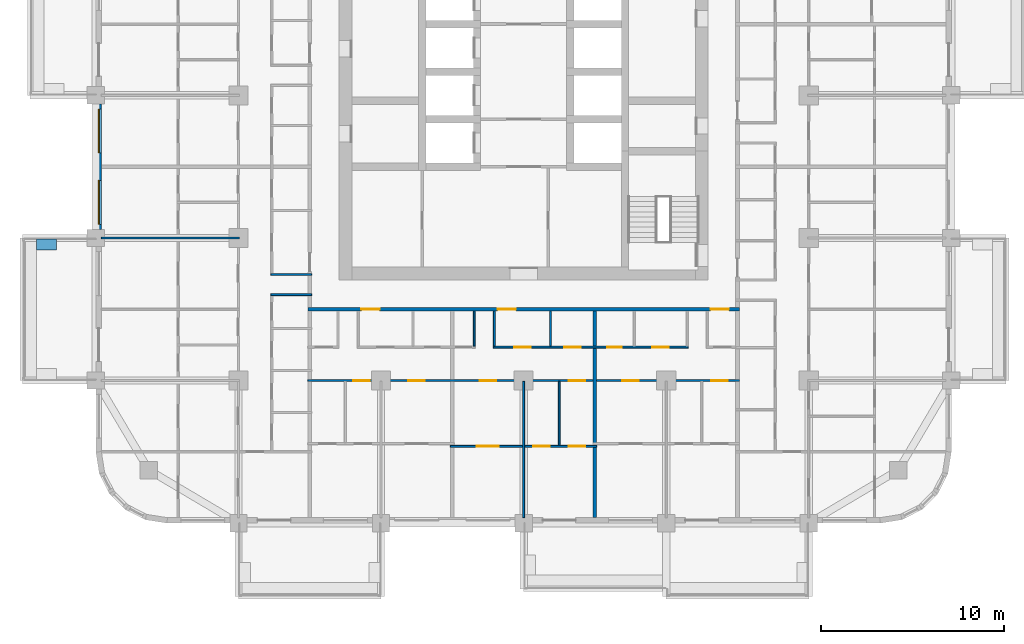
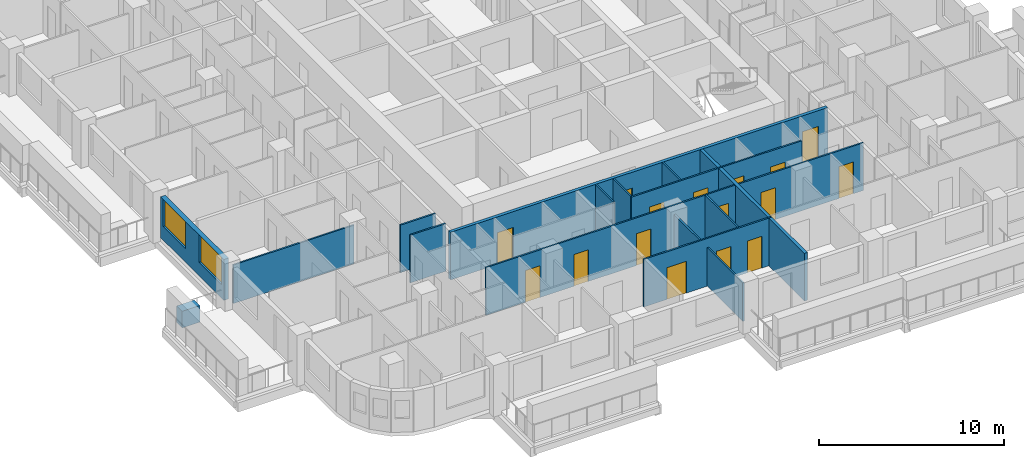
# One storey, part 4 of 18: 16 doors, 15 walls, 2 windows, 18 openings.
"""IFC4 building model written with IfcOpenShell, lengths in metres."""

from ifc_helpers import new_model, si_unit, direction, frame, frame_2d, origin, place, context, subcontext, project, spatial, rectangle, extrude, material, layer, layer_set, type_object, element, fill, save


model = new_model("IFC4")

# Units and contexts
model_context = context("Model", 3, precision=1e-05, world=origin(), true_north=direction((0.0, 1.0)))
body_context = subcontext(model_context, "Body", "Model", "MODEL_VIEW")
ifc_project = project(units=[si_unit("LENGTHUNIT", "METRE"), si_unit("AREAUNIT", "SQUARE_METRE"), si_unit("VOLUMEUNIT", "CUBIC_METRE"), si_unit("PLANEANGLEUNIT", "RADIAN"), si_unit("MASSUNIT", "GRAM", prefix="KILO")], contexts=[model_context])

# Site, building, storey
site_placement = place(None, origin())
site = spatial("IfcSite", under=ifc_project, at=site_placement, CompositionType="ELEMENT")
building_placement = place(site_placement, origin())
building = spatial("IfcBuilding", under=site, at=building_placement, Name="Ludao Terraces", CompositionType="ELEMENT")
storey_placement = place(building_placement, frame((0.0, 0.0, 78.39990234375)))
storey = spatial("IfcBuildingStorey", under=building, at=storey_placement, Name="L21", CompositionType="ELEMENT", Elevation=78.39990234375)

# Wall
ifc_material_1 = material(Name="Concrete C40", Category="concrete")
ifc_layer_1 = layer(ifc_material_1, 0.60009765625)
ifc_layer_set_1 = layer_set([ifc_layer_1], Name="ENV Planter trough 600")
wall_type_1 = type_object("IfcWallType", Name="ENV Planter trough 600", PredefinedType="USERDEFINED", material=ifc_layer_set_1)
wall_1_placement = place(storey_placement, frame((58.35009765625, 56.85009765625, 0.0), z_axis=(0.0, 0.0, 1.0), x_axis=(1.0, 0.0, 0.0)))
element("IfcWall", 1, at=wall_1_placement, inside=storey, type_object=wall_type_1, Name="PL-L21-W1-SB", ObjectType="PLANTER", PredefinedType="USERDEFINED", context=body_context, shape_type="SweptSolid", body=[
    extrude(rectangle(XDim=1.099853515625, YDim=0.60009765625, at=frame_2d((0.5498046875, 0.0))), origin(), (0.0, 0.0, 1.0), 1.10009765625),
])

# Wall, openings, windows
ifc_material_2 = material(Name="Granite cladding", Category="masonry")
ifc_layer_2 = layer(ifc_material_2, 0.0400390625, Category="stone")
ifc_material_3 = material(Name="Mineral wool")
ifc_layer_3 = layer(ifc_material_3, 0.06005859375)
ifc_layer_4 = layer(ifc_material_1, 0.199951171875, Category="concrete")
ifc_layer_set_2 = layer_set([ifc_layer_2, ifc_layer_3, ifc_layer_4], Name="ENV Stone-clad wall 300")
wall_type_2 = type_object("IfcWallType", Name="ENV Stone-clad wall 300", PredefinedType="SOLIDWALL", material=ifc_layer_set_2)
wall_2_placement = place(storey_placement, frame((61.75, 57.675048828125, 0.0), z_axis=(0.0, 0.0, 1.0), x_axis=(0.0, 1.0, 0.0)))
wall_2 = element("IfcWall", 2, at=wall_2_placement, inside=storey, type_object=wall_type_2, Name="EW-L21-W3", PredefinedType="SOLIDWALL", context=body_context, shape_type="SweptSolid", body=[
    extrude(rectangle(XDim=6.849853515625, YDim=0.300048828125, at=frame_2d((3.4248046875, 0.0))), origin(), (0.0, 0.0, 1.0), 2.7001953125),
])
opening_1_placement = place(wall_2_placement, frame((0.27490234375, 0.0, 0.89990234375)))
opening_1 = element("IfcOpeningElement", 3, at=opening_1_placement, cuts=wall_2, Name="Opening W1", PredefinedType="OPENING", context=body_context, shape_type="SweptSolid", body=[
    extrude(rectangle(XDim=2.39990234375, YDim=1.800048828125, at=frame_2d((1.199951171875, 0.89990234375))), frame((0.0, 0.16015625, 0.0), z_axis=(0.0, -1.0, 0.0), x_axis=(1.0, 0.0, 0.0)), (0.0, 0.0, 1.0), 0.320068359375),
])
opening_2_placement = place(wall_2_placement, frame((4.175048828125, 0.0, 0.89990234375)))
opening_2 = element("IfcOpeningElement", 4, at=opening_2_placement, cuts=wall_2, Name="Opening W1", PredefinedType="OPENING", context=body_context, shape_type="SweptSolid", body=[
    extrude(rectangle(XDim=2.39990234375, YDim=1.800048828125, at=frame_2d((1.199951171875, 0.89990234375))), frame((0.0, 0.16015625, 0.0), z_axis=(0.0, -1.0, 0.0), x_axis=(1.0, 0.0, 0.0)), (0.0, 0.0, 1.0), 0.320068359375),
])
ifc_material_4 = material(Name="Clear glass in aluminium frame", Category="aluminium")
ifc_layer_5 = layer(ifc_material_4, 0.06005859375)
ifc_layer_set_3 = layer_set([ifc_layer_5], Name="ENV Window W1 2400x1800")
window_type = type_object("IfcWindowType", Name="ENV Window W1 2400x1800", PartitioningType="DOUBLE_PANEL_VERTICAL", PredefinedType="WINDOW", material=ifc_layer_set_3)
window_1_placement = place(opening_1_placement, origin())
window_1 = element("IfcWindow", 5, at=window_1_placement, inside=storey, type_object=window_type, Name="W-L21-W3-1", OverallHeight=1.800048828125, OverallWidth=2.39990234375, PartitioningType="DOUBLE_PANEL_VERTICAL", PredefinedType="WINDOW", context=body_context, shape_type="SweptSolid", body=[
    extrude(rectangle(XDim=2.39990234375, YDim=1.800048828125, at=frame_2d((1.199951171875, 0.89990234375))), frame((0.0, 0.030029296875, 0.0), z_axis=(0.0, -1.0, 0.0), x_axis=(1.0, 0.0, 0.0)), (0.0, 0.0, 1.0), 0.06005859375),
])
fill(opening_1, window_1)
window_2_placement = place(opening_2_placement, origin())
window_2 = element("IfcWindow", 6, at=window_2_placement, inside=storey, type_object=window_type, Name="W-L21-W3-2", OverallHeight=1.800048828125, OverallWidth=2.39990234375, PartitioningType="DOUBLE_PANEL_VERTICAL", PredefinedType="WINDOW", context=body_context, shape_type="SweptSolid", body=[
    extrude(rectangle(XDim=2.39990234375, YDim=1.800048828125, at=frame_2d((1.199951171875, 0.89990234375))), frame((0.0, 0.030029296875, 0.0), z_axis=(0.0, -1.0, 0.0), x_axis=(1.0, 0.0, 0.0)), (0.0, 0.0, 1.0), 0.06005859375),
])
fill(opening_2, window_2)

# Wall, openings, doors
ifc_material_5 = material(Name="Autoclaved aerated concrete block B06 A3.5", Category="concrete")
ifc_layer_6 = layer(ifc_material_5, 0.199951171875)
ifc_layer_set_4 = layer_set([ifc_layer_6], Name="INT Entrance wall 200")
wall_type_3 = type_object("IfcWallType", Name="INT Entrance wall 200", PredefinedType="PARTITIONING", material=ifc_layer_set_4)
wall_3_placement = place(storey_placement, frame((73.2001953125, 53.300048828125, 0.0), z_axis=(0.0, 0.0, 1.0), x_axis=(1.0, 0.0, 0.0)))
wall_3 = element("IfcWall", 7, at=wall_3_placement, inside=storey, type_object=wall_type_3, Name="PW-L21-PW020", PredefinedType="PARTITIONING", context=body_context, shape_type="SweptSolid", body=[
    extrude(rectangle(XDim=23.599853515625, YDim=0.199951171875, at=frame_2d((11.7998046875, 0.0))), origin(), (0.0, 0.0, 1.0), 3.150146484375),
])
opening_3_placement = place(wall_3_placement, frame((2.9248046875, 0.0, 0.0)))
opening_3 = element("IfcOpeningElement", 8, at=opening_3_placement, cuts=wall_3, Name="Opening R06-048", PredefinedType="OPENING", context=body_context, shape_type="SweptSolid", body=[
    extrude(rectangle(XDim=1.0, YDim=2.10009765625, at=frame_2d((0.5, 1.050048828125))), frame((0.0, 0.10986328125, 0.0), z_axis=(0.0, -1.0, 0.0), x_axis=(1.0, 0.0, 0.0)), (0.0, 0.0, 1.0), 0.219970703125),
])
opening_4_placement = place(wall_3_placement, frame((10.375, 0.0, 0.0)))
opening_4 = element("IfcOpeningElement", 9, at=opening_4_placement, cuts=wall_3, Name="Opening R06-049", PredefinedType="OPENING", context=body_context, shape_type="SweptSolid", body=[
    extrude(rectangle(XDim=1.0, YDim=2.10009765625, at=frame_2d((0.5, 1.050048828125))), frame((0.0, 0.10986328125, 0.0), z_axis=(0.0, -1.0, 0.0), x_axis=(1.0, 0.0, 0.0)), (0.0, 0.0, 1.0), 0.219970703125),
])
opening_5_placement = place(wall_3_placement, frame((22.02490234375, 0.0, 0.0)))
opening_5 = element("IfcOpeningElement", 10, at=opening_5_placement, cuts=wall_3, Name="Opening R06-050", PredefinedType="OPENING", context=body_context, shape_type="SweptSolid", body=[
    extrude(rectangle(XDim=1.0, YDim=2.10009765625, at=frame_2d((0.5, 1.050048828125))), frame((0.0, 0.10986328125, 0.0), z_axis=(0.0, -1.0, 0.0), x_axis=(1.0, 0.0, 0.0)), (0.0, 0.0, 1.0), 0.219970703125),
])
ifc_material_6 = material(Name="Steel Q235", Category="steel")
door_type_1 = type_object("IfcDoorType", Name="INT Flat entrance door 1000", OperationType="SINGLE_SWING_LEFT", PredefinedType="DOOR", material=ifc_material_6)
door_1_placement = place(opening_3_placement, origin())
door_1 = element("IfcDoor", 11, at=door_1_placement, inside=storey, type_object=door_type_1, Name="DOOR 048", OperationType="SINGLE_SWING_LEFT", OverallHeight=2.10009765625, OverallWidth=1.0, PredefinedType="DOOR", context=body_context, shape_type="SweptSolid", body=[
    extrude(rectangle(XDim=1.0, YDim=2.10009765625, at=frame_2d((0.5, 1.050048828125))), frame((0.0, 0.02490234375, 0.0), z_axis=(0.0, -1.0, 0.0), x_axis=(1.0, 0.0, 0.0)), (0.0, 0.0, 1.0), 0.050048828125),
])
fill(opening_3, door_1)
door_2_placement = place(opening_4_placement, origin())
door_2 = element("IfcDoor", 12, at=door_2_placement, inside=storey, type_object=door_type_1, Name="DOOR 049", OperationType="SINGLE_SWING_LEFT", OverallHeight=2.10009765625, OverallWidth=1.0, PredefinedType="DOOR", context=body_context, shape_type="SweptSolid", body=[
    extrude(rectangle(XDim=1.0, YDim=2.10009765625, at=frame_2d((0.5, 1.050048828125))), frame((0.0, 0.02490234375, 0.0), z_axis=(0.0, -1.0, 0.0), x_axis=(1.0, 0.0, 0.0)), (0.0, 0.0, 1.0), 0.050048828125),
])
fill(opening_4, door_2)
door_3_placement = place(opening_5_placement, origin())
door_3 = element("IfcDoor", 13, at=door_3_placement, inside=storey, type_object=door_type_1, Name="DOOR 050", OperationType="SINGLE_SWING_LEFT", OverallHeight=2.10009765625, OverallWidth=1.0, PredefinedType="DOOR", context=body_context, shape_type="SweptSolid", body=[
    extrude(rectangle(XDim=1.0, YDim=2.10009765625, at=frame_2d((0.5, 1.050048828125))), frame((0.0, 0.02490234375, 0.0), z_axis=(0.0, -1.0, 0.0), x_axis=(1.0, 0.0, 0.0)), (0.0, 0.0, 1.0), 0.050048828125),
])
fill(opening_5, door_3)

ifc_material_7 = material(Name="Gypsum plasterboard", Category="gypsum")
ifc_layer_7 = layer(ifc_material_7, 0.012451171875, Category="gypsum")
ifc_layer_8 = layer(ifc_material_3, 0.06005859375, Name="insulation")
ifc_layer_9 = layer(ifc_material_6, 0.014892578125, Name="stud")
ifc_layer_10 = layer(ifc_material_7, 0.012451171875, Category="gypsum")
ifc_layer_set_5 = layer_set([ifc_layer_7, ifc_layer_8, ifc_layer_9, ifc_layer_10], Name="INT Partition 100")
wall_type_4 = type_object("IfcWallType", Name="INT Partition 100", PredefinedType="PARTITIONING", material=ifc_layer_set_5)
wall_4_placement = place(storey_placement, frame((81.0, 45.800048828125, 0.0), z_axis=(0.0, 0.0, 1.0), x_axis=(1.0, 0.0, 0.0)))
wall_4 = element("IfcWall", 14, at=wall_4_placement, inside=storey, type_object=wall_type_4, Name="PW-L21-PW002", PredefinedType="PARTITIONING", context=body_context, shape_type="SweptSolid", body=[
    extrude(rectangle(XDim=8.0, YDim=0.10009765625, at=frame_2d((4.0, 0.0))), origin(), (0.0, 0.0, 1.0), 3.150146484375),
])
opening_6_placement = place(wall_4_placement, frame((1.4501953125, 0.0, 0.0)))
opening_6 = element("IfcOpeningElement", 15, at=opening_6_placement, cuts=wall_4, Name="Opening R06-007", PredefinedType="OPENING", context=body_context, shape_type="SweptSolid", body=[
    extrude(rectangle(XDim=1.199951171875, YDim=2.10009765625, at=frame_2d((0.60009765625, 1.050048828125))), frame((0.0, 0.06005859375, 0.0), z_axis=(0.0, -1.0, 0.0), x_axis=(1.0, 0.0, 0.0)), (0.0, 0.0, 1.0), 0.1201171875),
])
opening_7_placement = place(wall_4_placement, frame((4.525146484375, 0.0, 0.0)))
opening_7 = element("IfcOpeningElement", 16, at=opening_7_placement, cuts=wall_4, Name="Opening R06-008", PredefinedType="OPENING", context=body_context, shape_type="SweptSolid", body=[
    extrude(rectangle(XDim=0.89990234375, YDim=2.10009765625, at=frame_2d((0.449951171875, 1.050048828125))), frame((0.0, 0.06005859375, 0.0), z_axis=(0.0, -1.0, 0.0), x_axis=(1.0, 0.0, 0.0)), (0.0, 0.0, 1.0), 0.1201171875),
])
opening_8_placement = place(wall_4_placement, frame((6.47509765625, 0.0, 0.0)))
opening_8 = element("IfcOpeningElement", 17, at=opening_8_placement, cuts=wall_4, Name="Opening R06-009", PredefinedType="OPENING", context=body_context, shape_type="SweptSolid", body=[
    extrude(rectangle(XDim=0.89990234375, YDim=2.10009765625, at=frame_2d((0.449951171875, 1.050048828125))), frame((0.0, 0.06005859375, 0.0), z_axis=(0.0, -1.0, 0.0), x_axis=(1.0, 0.0, 0.0)), (0.0, 0.0, 1.0), 0.1201171875),
])
ifc_material_8 = material(Name="Timber door leaf", Category="wood")
door_type_2 = type_object("IfcDoorType", Name="INT Bathroom door 900", OperationType="SINGLE_SWING_LEFT", PredefinedType="DOOR", material=ifc_material_8)
door_4_placement = place(opening_7_placement, origin())
door_4 = element("IfcDoor", 18, at=door_4_placement, inside=storey, type_object=door_type_2, Name="DOOR 008", OperationType="SINGLE_SWING_LEFT", OverallHeight=2.10009765625, OverallWidth=0.89990234375, PredefinedType="DOOR", context=body_context, shape_type="SweptSolid", body=[
    extrude(rectangle(XDim=0.89990234375, YDim=2.10009765625, at=frame_2d((0.449951171875, 1.050048828125))), frame((0.0, 0.02490234375, 0.0), z_axis=(0.0, -1.0, 0.0), x_axis=(1.0, 0.0, 0.0)), (0.0, 0.0, 1.0), 0.050048828125),
])
fill(opening_7, door_4)
door_type_3 = type_object("IfcDoorType", Name="INT Double door 1200", OperationType="DOUBLE_DOOR_SINGLE_SWING", PredefinedType="DOOR", material=ifc_material_8)
door_5_placement = place(opening_6_placement, origin())
door_5 = element("IfcDoor", 19, at=door_5_placement, inside=storey, type_object=door_type_3, Name="DOOR 007", OperationType="DOUBLE_DOOR_SINGLE_SWING", OverallHeight=2.10009765625, OverallWidth=1.199951171875, PredefinedType="DOOR", context=body_context, shape_type="SweptSolid", body=[
    extrude(rectangle(XDim=1.199951171875, YDim=2.10009765625, at=frame_2d((0.60009765625, 1.050048828125))), frame((0.0, 0.02490234375, 0.0), z_axis=(0.0, -1.0, 0.0), x_axis=(1.0, 0.0, 0.0)), (0.0, 0.0, 1.0), 0.050048828125),
])
fill(opening_6, door_5)
door_type_4 = type_object("IfcDoorType", Name="INT Room door 900", OperationType="SINGLE_SWING_LEFT", PredefinedType="DOOR", material=ifc_material_8)
door_6_placement = place(opening_8_placement, origin())
door_6 = element("IfcDoor", 20, at=door_6_placement, inside=storey, type_object=door_type_4, Name="DOOR 009", OperationType="SINGLE_SWING_RIGHT", OverallHeight=2.10009765625, OverallWidth=0.89990234375, PredefinedType="DOOR", context=body_context, shape_type="SweptSolid", body=[
    extrude(rectangle(XDim=0.89990234375, YDim=2.10009765625, at=frame_2d((0.449951171875, 1.050048828125))), frame((0.0, 0.02490234375, 0.0), z_axis=(0.0, -1.0, 0.0), x_axis=(1.0, 0.0, 0.0)), (0.0, 0.0, 1.0), 0.050048828125),
])
fill(opening_8, door_6)

wall_5_placement = place(storey_placement, frame((73.2001953125, 49.39990234375, 0.0), z_axis=(0.0, 0.0, 1.0), x_axis=(1.0, 0.0, 0.0)))
wall_5 = element("IfcWall", 21, at=wall_5_placement, inside=storey, type_object=wall_type_4, Name="PW-L21-PW009", PredefinedType="PARTITIONING", context=body_context, shape_type="SweptSolid", body=[
    extrude(rectangle(XDim=23.599853515625, YDim=0.10009765625, at=frame_2d((11.7998046875, 0.0))), origin(), (0.0, 0.0, 1.0), 3.150146484375),
])
opening_9_placement = place(wall_5_placement, frame((2.474853515625, 0.0, 0.0)))
opening_9 = element("IfcOpeningElement", 22, at=opening_9_placement, cuts=wall_5, Name="Opening R06-024", PredefinedType="OPENING", context=body_context, shape_type="SweptSolid", body=[
    extrude(rectangle(XDim=0.89990234375, YDim=2.10009765625, at=frame_2d((0.449951171875, 1.050048828125))), frame((0.0, 0.06005859375, 0.0), z_axis=(0.0, -1.0, 0.0), x_axis=(1.0, 0.0, 0.0)), (0.0, 0.0, 1.0), 0.1201171875),
])
opening_10_placement = place(wall_5_placement, frame((5.5, 0.0, 0.0)))
opening_10 = element("IfcOpeningElement", 23, at=opening_10_placement, cuts=wall_5, Name="Opening R06-025", PredefinedType="OPENING", context=body_context, shape_type="SweptSolid", body=[
    extrude(rectangle(XDim=0.89990234375, YDim=2.10009765625, at=frame_2d((0.449951171875, 1.050048828125))), frame((0.0, 0.06005859375, 0.0), z_axis=(0.0, -1.0, 0.0), x_axis=(1.0, 0.0, 0.0)), (0.0, 0.0, 1.0), 0.1201171875),
])
opening_11_placement = place(wall_5_placement, frame((9.39990234375, 0.0, 0.0)))
opening_11 = element("IfcOpeningElement", 24, at=opening_11_placement, cuts=wall_5, Name="Opening R06-026", PredefinedType="OPENING", context=body_context, shape_type="SweptSolid", body=[
    extrude(rectangle(XDim=0.89990234375, YDim=2.10009765625, at=frame_2d((0.449951171875, 1.050048828125))), frame((0.0, 0.06005859375, 0.0), z_axis=(0.0, -1.0, 0.0), x_axis=(1.0, 0.0, 0.0)), (0.0, 0.0, 1.0), 0.1201171875),
])
opening_12_placement = place(wall_5_placement, frame((14.27490234375, 0.0, 0.0)))
opening_12 = element("IfcOpeningElement", 25, at=opening_12_placement, cuts=wall_5, Name="Opening R06-027", PredefinedType="OPENING", context=body_context, shape_type="SweptSolid", body=[
    extrude(rectangle(XDim=0.89990234375, YDim=2.10009765625, at=frame_2d((0.449951171875, 1.050048828125))), frame((0.0, 0.06005859375, 0.0), z_axis=(0.0, -1.0, 0.0), x_axis=(1.0, 0.0, 0.0)), (0.0, 0.0, 1.0), 0.1201171875),
])
opening_13_placement = place(wall_5_placement, frame((17.199951171875, 0.0, 0.0)))
opening_13 = element("IfcOpeningElement", 26, at=opening_13_placement, cuts=wall_5, Name="Opening R06-028", PredefinedType="OPENING", context=body_context, shape_type="SweptSolid", body=[
    extrude(rectangle(XDim=0.89990234375, YDim=2.10009765625, at=frame_2d((0.449951171875, 1.050048828125))), frame((0.0, 0.06005859375, 0.0), z_axis=(0.0, -1.0, 0.0), x_axis=(1.0, 0.0, 0.0)), (0.0, 0.0, 1.0), 0.1201171875),
])
opening_14_placement = place(wall_5_placement, frame((22.074951171875, 0.0, 0.0)))
opening_14 = element("IfcOpeningElement", 27, at=opening_14_placement, cuts=wall_5, Name="Opening R06-029", PredefinedType="OPENING", context=body_context, shape_type="SweptSolid", body=[
    extrude(rectangle(XDim=0.89990234375, YDim=2.10009765625, at=frame_2d((0.449951171875, 1.050048828125))), frame((0.0, 0.06005859375, 0.0), z_axis=(0.0, -1.0, 0.0), x_axis=(1.0, 0.0, 0.0)), (0.0, 0.0, 1.0), 0.1201171875),
])
door_7_placement = place(opening_9_placement, origin())
door_7 = element("IfcDoor", 28, at=door_7_placement, inside=storey, type_object=door_type_4, Name="DOOR 024", OperationType="SINGLE_SWING_RIGHT", OverallHeight=2.10009765625, OverallWidth=0.89990234375, PredefinedType="DOOR", context=body_context, shape_type="SweptSolid", body=[
    extrude(rectangle(XDim=0.89990234375, YDim=2.10009765625, at=frame_2d((0.449951171875, 1.050048828125))), frame((0.0, 0.02490234375, 0.0), z_axis=(0.0, -1.0, 0.0), x_axis=(1.0, 0.0, 0.0)), (0.0, 0.0, 1.0), 0.050048828125),
])
fill(opening_9, door_7)
door_8_placement = place(opening_10_placement, origin())
door_8 = element("IfcDoor", 29, at=door_8_placement, inside=storey, type_object=door_type_4, Name="DOOR 025", OperationType="SINGLE_SWING_RIGHT", OverallHeight=2.10009765625, OverallWidth=0.89990234375, PredefinedType="DOOR", context=body_context, shape_type="SweptSolid", body=[
    extrude(rectangle(XDim=0.89990234375, YDim=2.10009765625, at=frame_2d((0.449951171875, 1.050048828125))), frame((0.0, 0.02490234375, 0.0), z_axis=(0.0, -1.0, 0.0), x_axis=(1.0, 0.0, 0.0)), (0.0, 0.0, 1.0), 0.050048828125),
])
fill(opening_10, door_8)
door_9_placement = place(opening_11_placement, origin())
door_9 = element("IfcDoor", 30, at=door_9_placement, inside=storey, type_object=door_type_4, Name="DOOR 026", OperationType="SINGLE_SWING_RIGHT", OverallHeight=2.10009765625, OverallWidth=0.89990234375, PredefinedType="DOOR", context=body_context, shape_type="SweptSolid", body=[
    extrude(rectangle(XDim=0.89990234375, YDim=2.10009765625, at=frame_2d((0.449951171875, 1.050048828125))), frame((0.0, 0.02490234375, 0.0), z_axis=(0.0, -1.0, 0.0), x_axis=(1.0, 0.0, 0.0)), (0.0, 0.0, 1.0), 0.050048828125),
])
fill(opening_11, door_9)
door_10_placement = place(opening_12_placement, origin())
door_10 = element("IfcDoor", 31, at=door_10_placement, inside=storey, type_object=door_type_4, Name="DOOR 027", OperationType="SINGLE_SWING_LEFT", OverallHeight=2.10009765625, OverallWidth=0.89990234375, PredefinedType="DOOR", context=body_context, shape_type="SweptSolid", body=[
    extrude(rectangle(XDim=0.89990234375, YDim=2.10009765625, at=frame_2d((0.449951171875, 1.050048828125))), frame((0.0, 0.02490234375, 0.0), z_axis=(0.0, -1.0, 0.0), x_axis=(1.0, 0.0, 0.0)), (0.0, 0.0, 1.0), 0.050048828125),
])
fill(opening_12, door_10)
door_11_placement = place(opening_13_placement, origin())
door_11 = element("IfcDoor", 32, at=door_11_placement, inside=storey, type_object=door_type_4, Name="DOOR 028", OperationType="SINGLE_SWING_LEFT", OverallHeight=2.10009765625, OverallWidth=0.89990234375, PredefinedType="DOOR", context=body_context, shape_type="SweptSolid", body=[
    extrude(rectangle(XDim=0.89990234375, YDim=2.10009765625, at=frame_2d((0.449951171875, 1.050048828125))), frame((0.0, 0.02490234375, 0.0), z_axis=(0.0, -1.0, 0.0), x_axis=(1.0, 0.0, 0.0)), (0.0, 0.0, 1.0), 0.050048828125),
])
fill(opening_13, door_11)
door_12_placement = place(opening_14_placement, origin())
door_12 = element("IfcDoor", 33, at=door_12_placement, inside=storey, type_object=door_type_4, Name="DOOR 029", OperationType="SINGLE_SWING_LEFT", OverallHeight=2.10009765625, OverallWidth=0.89990234375, PredefinedType="DOOR", context=body_context, shape_type="SweptSolid", body=[
    extrude(rectangle(XDim=0.89990234375, YDim=2.10009765625, at=frame_2d((0.449951171875, 1.050048828125))), frame((0.0, 0.02490234375, 0.0), z_axis=(0.0, -1.0, 0.0), x_axis=(1.0, 0.0, 0.0)), (0.0, 0.0, 1.0), 0.050048828125),
])
fill(opening_14, door_12)

wall_6_placement = place(storey_placement, frame((83.35009765625, 51.22998046875, 0.0), z_axis=(0.0, 0.0, 1.0), x_axis=(1.0, 0.0, 0.0)))
wall_6 = element("IfcWall", 34, at=wall_6_placement, inside=storey, type_object=wall_type_4, Name="PW-L21-PW015", PredefinedType="PARTITIONING", context=body_context, shape_type="SweptSolid", body=[
    extrude(rectangle(XDim=10.64990234375, YDim=0.10009765625, at=frame_2d((5.324951171875, 0.0))), origin(), (0.0, 0.0, 1.0), 3.150146484375),
])
opening_15_placement = place(wall_6_placement, frame((1.135009765625, 0.0, 0.0)))
opening_15 = element("IfcOpeningElement", 35, at=opening_15_placement, cuts=wall_6, Name="Opening R06-037", PredefinedType="OPENING", context=body_context, shape_type="SweptSolid", body=[
    extrude(rectangle(XDim=0.89990234375, YDim=2.10009765625, at=frame_2d((0.449951171875, 1.050048828125))), frame((0.0, 0.06005859375, 0.0), z_axis=(0.0, -1.0, 0.0), x_axis=(1.0, 0.0, 0.0)), (0.0, 0.0, 1.0), 0.1201171875),
])
opening_16_placement = place(wall_6_placement, frame((3.885009765625, 0.0, 0.0)))
opening_16 = element("IfcOpeningElement", 36, at=opening_16_placement, cuts=wall_6, Name="Opening R06-038", PredefinedType="OPENING", context=body_context, shape_type="SweptSolid", body=[
    extrude(rectangle(XDim=0.89990234375, YDim=2.10009765625, at=frame_2d((0.449951171875, 1.050048828125))), frame((0.0, 0.06005859375, 0.0), z_axis=(0.0, -1.0, 0.0), x_axis=(1.0, 0.0, 0.0)), (0.0, 0.0, 1.0), 0.1201171875),
])
opening_17_placement = place(wall_6_placement, frame((6.22509765625, 0.0, 0.0)))
opening_17 = element("IfcOpeningElement", 37, at=opening_17_placement, cuts=wall_6, Name="Opening R06-039", PredefinedType="OPENING", context=body_context, shape_type="SweptSolid", body=[
    extrude(rectangle(XDim=0.800048828125, YDim=2.10009765625, at=frame_2d((0.39990234375, 1.050048828125))), frame((0.0, 0.06005859375, 0.0), z_axis=(0.0, -1.0, 0.0), x_axis=(1.0, 0.0, 0.0)), (0.0, 0.0, 1.0), 0.1201171875),
])
opening_18_placement = place(wall_6_placement, frame((8.699951171875, 0.0, 0.0)))
opening_18 = element("IfcOpeningElement", 38, at=opening_18_placement, cuts=wall_6, Name="Opening R06-040", PredefinedType="OPENING", context=body_context, shape_type="SweptSolid", body=[
    extrude(rectangle(XDim=0.89990234375, YDim=2.10009765625, at=frame_2d((0.449951171875, 1.050048828125))), frame((0.0, 0.06005859375, 0.0), z_axis=(0.0, -1.0, 0.0), x_axis=(1.0, 0.0, 0.0)), (0.0, 0.0, 1.0), 0.1201171875),
])
door_13_placement = place(opening_16_placement, origin())
door_13 = element("IfcDoor", 39, at=door_13_placement, inside=storey, type_object=door_type_2, Name="DOOR 038", OperationType="SINGLE_SWING_RIGHT", OverallHeight=2.10009765625, OverallWidth=0.89990234375, PredefinedType="DOOR", context=body_context, shape_type="SweptSolid", body=[
    extrude(rectangle(XDim=0.89990234375, YDim=2.10009765625, at=frame_2d((0.449951171875, 1.050048828125))), frame((0.0, 0.02490234375, 0.0), z_axis=(0.0, -1.0, 0.0), x_axis=(1.0, 0.0, 0.0)), (0.0, 0.0, 1.0), 0.050048828125),
])
fill(opening_16, door_13)
door_14_placement = place(opening_15_placement, origin())
door_14 = element("IfcDoor", 40, at=door_14_placement, inside=storey, type_object=door_type_4, Name="DOOR 037", OperationType="SINGLE_SWING_LEFT", OverallHeight=2.10009765625, OverallWidth=0.89990234375, PredefinedType="DOOR", context=body_context, shape_type="SweptSolid", body=[
    extrude(rectangle(XDim=0.89990234375, YDim=2.10009765625, at=frame_2d((0.449951171875, 1.050048828125))), frame((0.0, 0.02490234375, 0.0), z_axis=(0.0, -1.0, 0.0), x_axis=(1.0, 0.0, 0.0)), (0.0, 0.0, 1.0), 0.050048828125),
])
fill(opening_15, door_14)
door_15_placement = place(opening_18_placement, origin())
door_15 = element("IfcDoor", 41, at=door_15_placement, inside=storey, type_object=door_type_4, Name="DOOR 040", OperationType="SINGLE_SWING_LEFT", OverallHeight=2.10009765625, OverallWidth=0.89990234375, PredefinedType="DOOR", context=body_context, shape_type="SweptSolid", body=[
    extrude(rectangle(XDim=0.89990234375, YDim=2.10009765625, at=frame_2d((0.449951171875, 1.050048828125))), frame((0.0, 0.02490234375, 0.0), z_axis=(0.0, -1.0, 0.0), x_axis=(1.0, 0.0, 0.0)), (0.0, 0.0, 1.0), 0.050048828125),
])
fill(opening_18, door_15)
door_type_5 = type_object("IfcDoorType", Name="INT Store door 800", OperationType="SINGLE_SWING_LEFT", PredefinedType="DOOR", material=ifc_material_8)
door_16_placement = place(opening_17_placement, origin())
door_16 = element("IfcDoor", 42, at=door_16_placement, inside=storey, type_object=door_type_5, Name="DOOR 039", OperationType="SINGLE_SWING_LEFT", OverallHeight=2.10009765625, OverallWidth=0.800048828125, PredefinedType="DOOR", context=body_context, shape_type="SweptSolid", body=[
    extrude(rectangle(XDim=0.800048828125, YDim=2.10009765625, at=frame_2d((0.39990234375, 1.050048828125))), frame((0.0, 0.02490234375, 0.0), z_axis=(0.0, -1.0, 0.0), x_axis=(1.0, 0.0, 0.0)), (0.0, 0.0, 1.0), 0.050048828125),
])
fill(opening_17, door_16)

# Walls
for number, where, z_axis, x_axis, name in (
    (43, (71.18017578125, 54.10009765625, 0.0), (0.0, 0.0, 1.0), (1.0, 0.0, 0.0), "PW-L21-PW023"),
    (44, (71.18017578125, 55.199951171875, 0.0), (0.0, 0.0, 1.0), (1.0, 0.0, 0.0), "PW-L21-PW025"),
):
    element("IfcWall", number, at=place(storey_placement, frame(where, z_axis=z_axis, x_axis=x_axis)), inside=storey, type_object=wall_type_4, Name=name, PredefinedType="PARTITIONING", context=body_context, shape_type="SweptSolid", body=[
        extrude(rectangle(XDim=2.219970703125, YDim=0.10009765625, at=frame_2d((1.10986328125, 0.0))), origin(), (0.0, 0.0, 1.0), 3.150146484375),
    ])
wall_7_placement = place(storey_placement, frame((61.900146484375, 57.199951171875, 0.0), z_axis=(0.0, 0.0, 1.0), x_axis=(1.0, 0.0, 0.0)))
element("IfcWall", 45, at=wall_7_placement, inside=storey, type_object=wall_type_4, Name="PW-L21-PW027", PredefinedType="PARTITIONING", context=body_context, shape_type="SweptSolid", body=[
    extrude(rectangle(XDim=7.550048828125, YDim=0.10009765625, at=frame_2d((3.77490234375, 0.0))), origin(), (0.0, 0.0, 1.0), 2.550048828125),
])
for number, where, z_axis, x_axis, name in (
    (46, (82.300048828125, 51.280029296875, 0.0), (0.0, 0.0, 1.0), (0.0, 1.0, 0.0), "PW-L21-PW100"),
    (47, (83.39990234375, 51.280029296875, 0.0), (0.0, 0.0, 1.0), (0.0, 1.0, 0.0), "PW-L21-PW101"),
):
    element("IfcWall", number, at=place(storey_placement, frame(where, z_axis=z_axis, x_axis=x_axis)), inside=storey, type_object=wall_type_4, Name=name, PredefinedType="PARTITIONING", context=body_context, shape_type="SweptSolid", body=[
        extrude(rectangle(XDim=1.920166015625, YDim=0.10009765625, at=frame_2d((0.9599609375, 0.0))), origin(), (0.0, 0.0, 1.0), 3.150146484375),
    ])
wall_8_placement = place(storey_placement, frame((85.0, 41.900146484375, 0.0), z_axis=(0.0, 0.0, 1.0), x_axis=(0.0, 1.0, 0.0)))
element("IfcWall", 48, at=wall_8_placement, inside=storey, type_object=wall_type_4, Name="PW-L21-PW102", PredefinedType="PARTITIONING", context=body_context, shape_type="SweptSolid", body=[
    extrude(rectangle(XDim=7.449951171875, YDim=0.10009765625, at=frame_2d((3.72509765625, 0.0))), origin(), (0.0, 0.0, 1.0), 2.550048828125),
])
wall_9_placement = place(storey_placement, frame((86.469970703125, 51.280029296875, 0.0), z_axis=(0.0, 0.0, 1.0), x_axis=(0.0, 1.0, 0.0)))
element("IfcWall", 49, at=wall_9_placement, inside=storey, type_object=wall_type_4, Name="PW-L21-PW105", PredefinedType="PARTITIONING", context=body_context, shape_type="SweptSolid", body=[
    extrude(rectangle(XDim=1.920166015625, YDim=0.10009765625, at=frame_2d((0.9599609375, 0.0))), origin(), (0.0, 0.0, 1.0), 3.150146484375),
])
wall_10_placement = place(storey_placement, frame((86.949951171875, 45.85009765625, 0.0), z_axis=(0.0, 0.0, 1.0), x_axis=(0.0, 1.0, 0.0)))
element("IfcWall", 50, at=wall_10_placement, inside=storey, type_object=wall_type_4, Name="PW-L21-PW106", PredefinedType="PARTITIONING", context=body_context, shape_type="SweptSolid", body=[
    extrude(rectangle(XDim=3.5, YDim=0.10009765625, at=frame_2d((1.75, 0.0))), origin(), (0.0, 0.0, 1.0), 3.150146484375),
])
ifc_layer_11 = layer(ifc_material_5, 0.199951171875)
ifc_layer_set_6 = layer_set([ifc_layer_11], Name="INT Party wall 200")
wall_type_5 = type_object("IfcWallType", Name="INT Party wall 200", PredefinedType="PARTITIONING", material=ifc_layer_set_6)
wall_11_placement = place(storey_placement, frame((88.89990234375, 41.900146484375, 0.0), z_axis=(0.0, 0.0, 1.0), x_axis=(0.0, 1.0, 0.0)))
element("IfcWall", 51, at=wall_11_placement, inside=storey, type_object=wall_type_5, Name="PW-L21-PW107", PredefinedType="PARTITIONING", context=body_context, shape_type="SweptSolid", body=[
    extrude(rectangle(XDim=11.300048828125, YDim=0.199951171875, at=frame_2d((5.64990234375, 0.0))), origin(), (0.0, 0.0, 1.0), 3.150146484375),
])

save(model, "model.ifc")
